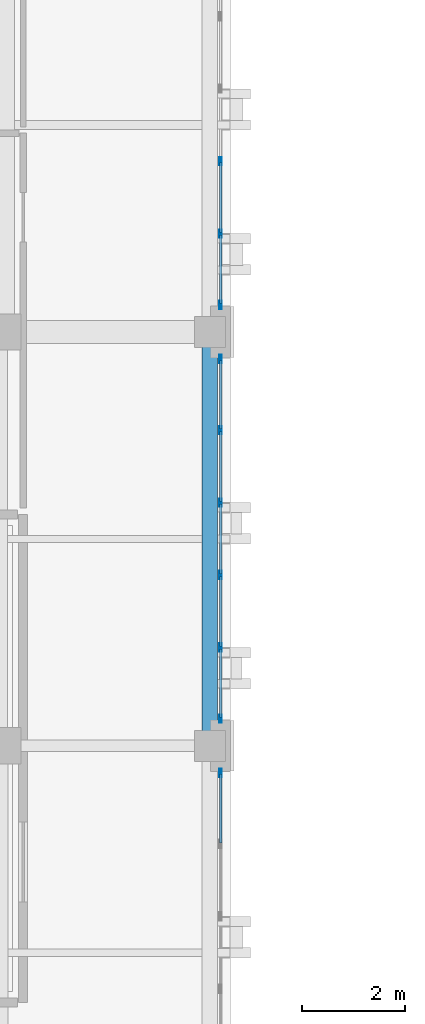
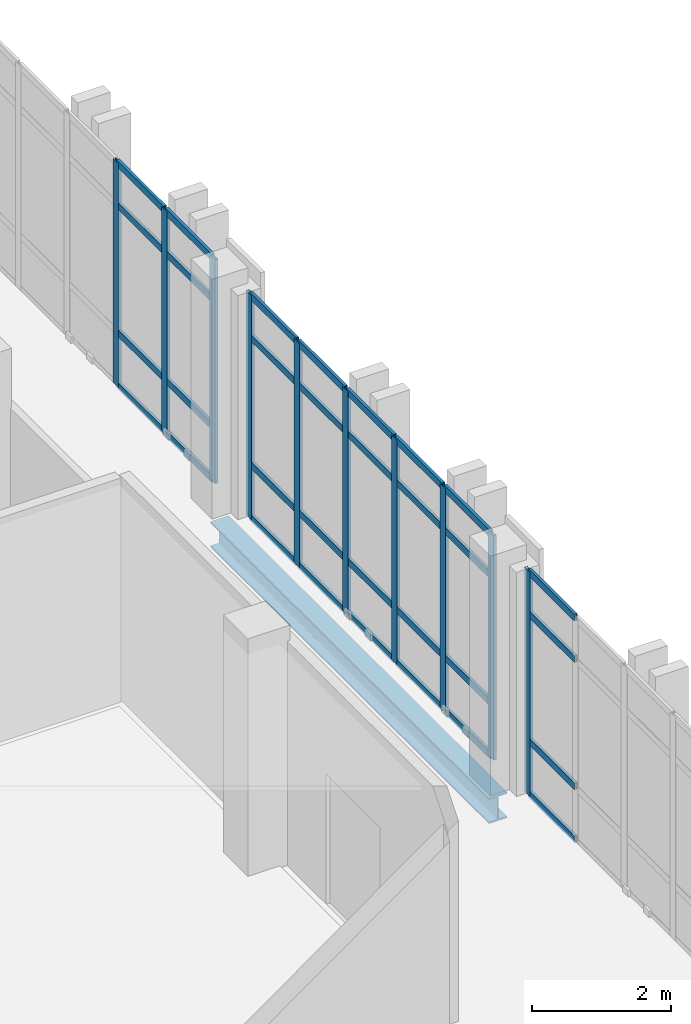
# One storey, part 15 of 90: 42 members, 1 beam, 3 elements without a shape of their own.
"""IFC4 building model written with IfcOpenShell, lengths in metres."""

from ifc_helpers import new_model, si_unit, direction, frame, origin, origin_2d, place, context, subcontext, project, spatial, hollow_rectangle, i_section, extrude, material, layer, layer_set, material_profile, profile_set, type_object, element, aggregate, save


model = new_model("IFC4")

# Units and contexts
model_context = context("Model", 3, precision=1e-05, world=origin(), true_north=direction((0.0, 1.0)))
body_context = subcontext(model_context, "Body", "Model", "MODEL_VIEW")
ifc_project = project(units=[si_unit("LENGTHUNIT", "METRE"), si_unit("AREAUNIT", "SQUARE_METRE"), si_unit("VOLUMEUNIT", "CUBIC_METRE"), si_unit("PLANEANGLEUNIT", "RADIAN"), si_unit("MASSUNIT", "GRAM", prefix="KILO")], contexts=[model_context])

# Site, building, storey
site_placement = place(None, origin())
site = spatial("IfcSite", under=ifc_project, at=site_placement, CompositionType="ELEMENT")
building_placement = place(site_placement, origin())
building = spatial("IfcBuilding", under=site, at=building_placement, Name="Qalavern Law Courts", CompositionType="ELEMENT")
storey_placement = place(building_placement, frame((0.0, 0.0, 22.800048828125)))
storey = spatial("IfcBuildingStorey", under=building, at=storey_placement, Name="L05", CompositionType="ELEMENT", Elevation=22.800048828125)

# Curtain wall, member
ifc_material_1 = material(Name="Anodised aluminium and insulated glazing", Category="aluminium")
ifc_layer = layer(ifc_material_1, 0.159912109375)
ifc_layer_set = layer_set([ifc_layer], Name="Anodised aluminium and insulated glazing")
curtain_wall_type = type_object("IfcCurtainWallType", Name="ENV-CW-CHAMB", PredefinedType="USERDEFINED", material=ifc_layer_set)
curtain_wall_1_placement = place(storey_placement, origin())
curtain_wall_1 = element("IfcCurtainWall", 1, at=curtain_wall_1_placement, inside=storey, type_object=curtain_wall_type, Name="V3 unitised curtain wall L05 east 2", ObjectType="UNITISED CURTAIN WALL", PredefinedType="USERDEFINED")
ifc_material_2 = material(Name="Anodised aluminium", Category="aluminium")
ifc_material_profile_1 = material_profile(ifc_material_2, hollow_rectangle(XDim=0.048095703125, YDim=0.159912109375, WallThickness=0.00390625, at=origin_2d()), Name="ALU MULLION 48x160")
ifc_profile_set_1 = profile_set([ifc_material_profile_1], Name="Anodised aluminium")
member_type_1 = type_object("IfcMemberType", Name="ENV-CWM-48x160", PredefinedType="MULLION", material=ifc_profile_set_1)
member_1_placement = place(storey_placement, frame((18.607421875, 56.8759765625, 0.0), z_axis=(0.0, 0.0, 1.0), x_axis=(-1.0, 0.0, 0.0)))
member_1 = element("IfcMember", 2, at=member_1_placement, type_object=member_type_1, Name="CW-04 mullion 6", PredefinedType="MULLION", context=body_context, shape_type="SweptSolid", body=[
    extrude(hollow_rectangle(XDim=0.048095703125, YDim=0.159912109375, WallThickness=0.00390625, at=origin_2d()), origin(), (0.0, 0.0, 1.0), 3.929931640625),
])

# Curtain wall, members
curtain_wall_2_placement = place(storey_placement, origin())
curtain_wall_2 = element("IfcCurtainWall", 3, at=curtain_wall_2_placement, inside=storey, type_object=curtain_wall_type, Name="V3 unitised curtain wall L05 east 3", ObjectType="UNITISED CURTAIN WALL", PredefinedType="USERDEFINED")
member_2_placement = place(storey_placement, frame((18.607421875, 57.924072265625, 0.0), z_axis=(0.0, 0.0, 1.0), x_axis=(-1.0, 0.0, 0.0)))
member_2 = element("IfcMember", 4, at=member_2_placement, type_object=member_type_1, Name="CW-04 mullion 1", PredefinedType="MULLION", context=body_context, shape_type="SweptSolid", body=[
    extrude(hollow_rectangle(XDim=0.048095703125, YDim=0.159912109375, WallThickness=0.00390625, at=origin_2d()), origin(), (0.0, 0.0, 1.0), 3.929931640625),
])
member_3_placement = place(storey_placement, frame((18.607421875, 59.300048828125, 0.0), z_axis=(0.0, 0.0, 1.0), x_axis=(-1.0, 0.0, 0.0)))
member_3 = element("IfcMember", 5, at=member_3_placement, type_object=member_type_1, Name="CW-04 mullion 2", PredefinedType="MULLION", context=body_context, shape_type="SweptSolid", body=[
    extrude(hollow_rectangle(XDim=0.048095703125, YDim=0.159912109375, WallThickness=0.00390625, at=origin_2d()), origin(), (0.0, 0.0, 1.0), 3.929931640625),
])
member_4_placement = place(storey_placement, frame((18.607421875, 60.699951171875, 0.0), z_axis=(0.0, 0.0, 1.0), x_axis=(-1.0, 0.0, 0.0)))
member_4 = element("IfcMember", 6, at=member_4_placement, type_object=member_type_1, Name="CW-04 mullion 3", PredefinedType="MULLION", context=body_context, shape_type="SweptSolid", body=[
    extrude(hollow_rectangle(XDim=0.048095703125, YDim=0.159912109375, WallThickness=0.00390625, at=origin_2d()), origin(), (0.0, 0.0, 1.0), 3.929931640625),
])
member_5_placement = place(storey_placement, frame((18.607421875, 62.10009765625, 0.0), z_axis=(0.0, 0.0, 1.0), x_axis=(-1.0, 0.0, 0.0)))
member_5 = element("IfcMember", 7, at=member_5_placement, type_object=member_type_1, Name="CW-04 mullion 4", PredefinedType="MULLION", context=body_context, shape_type="SweptSolid", body=[
    extrude(hollow_rectangle(XDim=0.048095703125, YDim=0.159912109375, WallThickness=0.00390625, at=origin_2d()), origin(), (0.0, 0.0, 1.0), 3.929931640625),
])
member_6_placement = place(storey_placement, frame((18.607421875, 63.5, 0.0), z_axis=(0.0, 0.0, 1.0), x_axis=(-1.0, 0.0, 0.0)))
member_6 = element("IfcMember", 8, at=member_6_placement, type_object=member_type_1, Name="CW-04 mullion 5", PredefinedType="MULLION", context=body_context, shape_type="SweptSolid", body=[
    extrude(hollow_rectangle(XDim=0.048095703125, YDim=0.159912109375, WallThickness=0.00390625, at=origin_2d()), origin(), (0.0, 0.0, 1.0), 3.929931640625),
])
member_7_placement = place(storey_placement, frame((18.607421875, 64.8759765625, 0.0), z_axis=(0.0, 0.0, 1.0), x_axis=(-1.0, 0.0, 0.0)))
member_7 = element("IfcMember", 9, at=member_7_placement, type_object=member_type_1, Name="CW-04 mullion 6", PredefinedType="MULLION", context=body_context, shape_type="SweptSolid", body=[
    extrude(hollow_rectangle(XDim=0.048095703125, YDim=0.159912109375, WallThickness=0.00390625, at=origin_2d()), origin(), (0.0, 0.0, 1.0), 3.929931640625),
])

curtain_wall_3_placement = place(storey_placement, origin())
curtain_wall_3 = element("IfcCurtainWall", 10, at=curtain_wall_3_placement, inside=storey, type_object=curtain_wall_type, Name="V3 unitised curtain wall L05 east 4", ObjectType="UNITISED CURTAIN WALL", PredefinedType="USERDEFINED")
member_8_placement = place(storey_placement, frame((18.607421875, 65.924072265625, 0.0), z_axis=(0.0, 0.0, 1.0), x_axis=(-1.0, 0.0, 0.0)))
member_8 = element("IfcMember", 11, at=member_8_placement, type_object=member_type_1, Name="CW-04 mullion 1", PredefinedType="MULLION", context=body_context, shape_type="SweptSolid", body=[
    extrude(hollow_rectangle(XDim=0.048095703125, YDim=0.159912109375, WallThickness=0.00390625, at=origin_2d()), origin(), (0.0, 0.0, 1.0), 3.929931640625),
])
member_9_placement = place(storey_placement, frame((18.607421875, 67.300048828125, 0.0), z_axis=(0.0, 0.0, 1.0), x_axis=(-1.0, 0.0, 0.0)))
member_9 = element("IfcMember", 12, at=member_9_placement, type_object=member_type_1, Name="CW-04 mullion 2", PredefinedType="MULLION", context=body_context, shape_type="SweptSolid", body=[
    extrude(hollow_rectangle(XDim=0.048095703125, YDim=0.159912109375, WallThickness=0.00390625, at=origin_2d()), origin(), (0.0, 0.0, 1.0), 3.929931640625),
])
member_10_placement = place(storey_placement, frame((18.607421875, 68.699951171875, 0.0), z_axis=(0.0, 0.0, 1.0), x_axis=(-1.0, 0.0, 0.0)))
member_10 = element("IfcMember", 13, at=member_10_placement, type_object=member_type_1, Name="CW-04 mullion 3", PredefinedType="MULLION", context=body_context, shape_type="SweptSolid", body=[
    extrude(hollow_rectangle(XDim=0.048095703125, YDim=0.159912109375, WallThickness=0.00390625, at=origin_2d()), origin(), (0.0, 0.0, 1.0), 3.929931640625),
])

# Member
ifc_material_profile_2 = material_profile(ifc_material_2, hollow_rectangle(XDim=0.048095703125, YDim=0.1201171875, WallThickness=0.00390625, at=origin_2d()), Name="ALU TRANSOM 48x120")
ifc_profile_set_2 = profile_set([ifc_material_profile_2], Name="Anodised aluminium")
member_type_2 = type_object("IfcMemberType", Name="ENV-CWT-48x120", PredefinedType="USERDEFINED", material=ifc_profile_set_2)
member_11_placement = place(storey_placement, frame((18.607421875, 55.52392578125, 0.02392578125), z_axis=(0.0, 1.0, 0.0), x_axis=(-1.0, 0.0, 0.0)))
member_11 = element("IfcMember", 14, at=member_11_placement, type_object=member_type_2, Name="CW-04 transom 5.1", ObjectType="TRANSOM", PredefinedType="USERDEFINED", context=body_context, shape_type="SweptSolid", body=[
    extrude(hollow_rectangle(XDim=0.048095703125, YDim=0.1201171875, WallThickness=0.00390625, at=origin_2d()), origin(), (0.0, 0.0, 1.0), 1.328125),
])

member_12_placement = place(storey_placement, frame((18.607421875, 55.52392578125, 0.949951171875), z_axis=(0.0, 1.0, 0.0), x_axis=(-1.0, 0.0, 0.0)))
member_12 = element("IfcMember", 15, at=member_12_placement, type_object=member_type_2, Name="CW-04 transom 5.2", ObjectType="TRANSOM", PredefinedType="USERDEFINED", context=body_context, shape_type="SweptSolid", body=[
    extrude(hollow_rectangle(XDim=0.048095703125, YDim=0.1201171875, WallThickness=0.00390625, at=origin_2d()), origin(), (0.0, 0.0, 1.0), 1.328125),
])

member_13_placement = place(storey_placement, frame((18.607421875, 55.52392578125, 3.179931640625), z_axis=(0.0, 1.0, 0.0), x_axis=(-1.0, 0.0, 0.0)))
member_13 = element("IfcMember", 16, at=member_13_placement, type_object=member_type_2, Name="CW-04 transom 5.3", ObjectType="TRANSOM", PredefinedType="USERDEFINED", context=body_context, shape_type="SweptSolid", body=[
    extrude(hollow_rectangle(XDim=0.048095703125, YDim=0.1201171875, WallThickness=0.00390625, at=origin_2d()), origin(), (0.0, 0.0, 1.0), 1.328125),
])

member_14_placement = place(storey_placement, frame((18.607421875, 55.52392578125, 3.906005859375), z_axis=(0.0, 1.0, 0.0), x_axis=(-1.0, 0.0, 0.0)))
member_14 = element("IfcMember", 17, at=member_14_placement, type_object=member_type_2, Name="CW-04 transom 5.4", ObjectType="TRANSOM", PredefinedType="USERDEFINED", context=body_context, shape_type="SweptSolid", body=[
    extrude(hollow_rectangle(XDim=0.048095703125, YDim=0.1201171875, WallThickness=0.00390625, at=origin_2d()), origin(), (0.0, 0.0, 1.0), 1.328125),
])

aggregate(curtain_wall_1, [member_1, member_11, member_12, member_13, member_14])

member_15_placement = place(storey_placement, frame((18.607421875, 57.947998046875, 0.02392578125), z_axis=(0.0, 1.0, 0.0), x_axis=(-1.0, 0.0, 0.0)))
member_15 = element("IfcMember", 18, at=member_15_placement, type_object=member_type_2, Name="CW-04 transom 1.1", ObjectType="TRANSOM", PredefinedType="USERDEFINED", context=body_context, shape_type="SweptSolid", body=[
    extrude(hollow_rectangle(XDim=0.048095703125, YDim=0.1201171875, WallThickness=0.00390625, at=origin_2d()), origin(), (0.0, 0.0, 1.0), 1.327880859375),
])

member_16_placement = place(storey_placement, frame((18.607421875, 57.947998046875, 0.949951171875), z_axis=(0.0, 1.0, 0.0), x_axis=(-1.0, 0.0, 0.0)))
member_16 = element("IfcMember", 19, at=member_16_placement, type_object=member_type_2, Name="CW-04 transom 1.2", ObjectType="TRANSOM", PredefinedType="USERDEFINED", context=body_context, shape_type="SweptSolid", body=[
    extrude(hollow_rectangle(XDim=0.048095703125, YDim=0.1201171875, WallThickness=0.00390625, at=origin_2d()), origin(), (0.0, 0.0, 1.0), 1.327880859375),
])

member_17_placement = place(storey_placement, frame((18.607421875, 57.947998046875, 3.179931640625), z_axis=(0.0, 1.0, 0.0), x_axis=(-1.0, 0.0, 0.0)))
member_17 = element("IfcMember", 20, at=member_17_placement, type_object=member_type_2, Name="CW-04 transom 1.3", ObjectType="TRANSOM", PredefinedType="USERDEFINED", context=body_context, shape_type="SweptSolid", body=[
    extrude(hollow_rectangle(XDim=0.048095703125, YDim=0.1201171875, WallThickness=0.00390625, at=origin_2d()), origin(), (0.0, 0.0, 1.0), 1.327880859375),
])

member_18_placement = place(storey_placement, frame((18.607421875, 57.947998046875, 3.906005859375), z_axis=(0.0, 1.0, 0.0), x_axis=(-1.0, 0.0, 0.0)))
member_18 = element("IfcMember", 21, at=member_18_placement, type_object=member_type_2, Name="CW-04 transom 1.4", ObjectType="TRANSOM", PredefinedType="USERDEFINED", context=body_context, shape_type="SweptSolid", body=[
    extrude(hollow_rectangle(XDim=0.048095703125, YDim=0.1201171875, WallThickness=0.00390625, at=origin_2d()), origin(), (0.0, 0.0, 1.0), 1.327880859375),
])

member_19_placement = place(storey_placement, frame((18.607421875, 59.323974609375, 0.02392578125), z_axis=(0.0, 1.0, 0.0), x_axis=(-1.0, 0.0, 0.0)))
member_19 = element("IfcMember", 22, at=member_19_placement, type_object=member_type_2, Name="CW-04 transom 2.1", ObjectType="TRANSOM", PredefinedType="USERDEFINED", context=body_context, shape_type="SweptSolid", body=[
    extrude(hollow_rectangle(XDim=0.048095703125, YDim=0.1201171875, WallThickness=0.00390625, at=origin_2d()), origin(), (0.0, 0.0, 1.0), 1.35205078125),
])

member_20_placement = place(storey_placement, frame((18.607421875, 59.323974609375, 0.949951171875), z_axis=(0.0, 1.0, 0.0), x_axis=(-1.0, 0.0, 0.0)))
member_20 = element("IfcMember", 23, at=member_20_placement, type_object=member_type_2, Name="CW-04 transom 2.2", ObjectType="TRANSOM", PredefinedType="USERDEFINED", context=body_context, shape_type="SweptSolid", body=[
    extrude(hollow_rectangle(XDim=0.048095703125, YDim=0.1201171875, WallThickness=0.00390625, at=origin_2d()), origin(), (0.0, 0.0, 1.0), 1.35205078125),
])

member_21_placement = place(storey_placement, frame((18.607421875, 59.323974609375, 3.179931640625), z_axis=(0.0, 1.0, 0.0), x_axis=(-1.0, 0.0, 0.0)))
member_21 = element("IfcMember", 24, at=member_21_placement, type_object=member_type_2, Name="CW-04 transom 2.3", ObjectType="TRANSOM", PredefinedType="USERDEFINED", context=body_context, shape_type="SweptSolid", body=[
    extrude(hollow_rectangle(XDim=0.048095703125, YDim=0.1201171875, WallThickness=0.00390625, at=origin_2d()), origin(), (0.0, 0.0, 1.0), 1.35205078125),
])

member_22_placement = place(storey_placement, frame((18.607421875, 59.323974609375, 3.906005859375), z_axis=(0.0, 1.0, 0.0), x_axis=(-1.0, 0.0, 0.0)))
member_22 = element("IfcMember", 25, at=member_22_placement, type_object=member_type_2, Name="CW-04 transom 2.4", ObjectType="TRANSOM", PredefinedType="USERDEFINED", context=body_context, shape_type="SweptSolid", body=[
    extrude(hollow_rectangle(XDim=0.048095703125, YDim=0.1201171875, WallThickness=0.00390625, at=origin_2d()), origin(), (0.0, 0.0, 1.0), 1.35205078125),
])

member_23_placement = place(storey_placement, frame((18.607421875, 60.72412109375, 0.02392578125), z_axis=(0.0, 1.0, 0.0), x_axis=(-1.0, 0.0, 0.0)))
member_23 = element("IfcMember", 26, at=member_23_placement, type_object=member_type_2, Name="CW-04 transom 3.1", ObjectType="TRANSOM", PredefinedType="USERDEFINED", context=body_context, shape_type="SweptSolid", body=[
    extrude(hollow_rectangle(XDim=0.048095703125, YDim=0.1201171875, WallThickness=0.00390625, at=origin_2d()), origin(), (0.0, 0.0, 1.0), 1.351806640625),
])

member_24_placement = place(storey_placement, frame((18.607421875, 60.72412109375, 0.949951171875), z_axis=(0.0, 1.0, 0.0), x_axis=(-1.0, 0.0, 0.0)))
member_24 = element("IfcMember", 27, at=member_24_placement, type_object=member_type_2, Name="CW-04 transom 3.2", ObjectType="TRANSOM", PredefinedType="USERDEFINED", context=body_context, shape_type="SweptSolid", body=[
    extrude(hollow_rectangle(XDim=0.048095703125, YDim=0.1201171875, WallThickness=0.00390625, at=origin_2d()), origin(), (0.0, 0.0, 1.0), 1.351806640625),
])

member_25_placement = place(storey_placement, frame((18.607421875, 60.72412109375, 3.179931640625), z_axis=(0.0, 1.0, 0.0), x_axis=(-1.0, 0.0, 0.0)))
member_25 = element("IfcMember", 28, at=member_25_placement, type_object=member_type_2, Name="CW-04 transom 3.3", ObjectType="TRANSOM", PredefinedType="USERDEFINED", context=body_context, shape_type="SweptSolid", body=[
    extrude(hollow_rectangle(XDim=0.048095703125, YDim=0.1201171875, WallThickness=0.00390625, at=origin_2d()), origin(), (0.0, 0.0, 1.0), 1.351806640625),
])

member_26_placement = place(storey_placement, frame((18.607421875, 60.72412109375, 3.906005859375), z_axis=(0.0, 1.0, 0.0), x_axis=(-1.0, 0.0, 0.0)))
member_26 = element("IfcMember", 29, at=member_26_placement, type_object=member_type_2, Name="CW-04 transom 3.4", ObjectType="TRANSOM", PredefinedType="USERDEFINED", context=body_context, shape_type="SweptSolid", body=[
    extrude(hollow_rectangle(XDim=0.048095703125, YDim=0.1201171875, WallThickness=0.00390625, at=origin_2d()), origin(), (0.0, 0.0, 1.0), 1.351806640625),
])

member_27_placement = place(storey_placement, frame((18.607421875, 62.1240234375, 0.02392578125), z_axis=(0.0, 1.0, 0.0), x_axis=(-1.0, 0.0, 0.0)))
member_27 = element("IfcMember", 30, at=member_27_placement, type_object=member_type_2, Name="CW-04 transom 4.1", ObjectType="TRANSOM", PredefinedType="USERDEFINED", context=body_context, shape_type="SweptSolid", body=[
    extrude(hollow_rectangle(XDim=0.048095703125, YDim=0.1201171875, WallThickness=0.00390625, at=origin_2d()), origin(), (0.0, 0.0, 1.0), 1.35205078125),
])

member_28_placement = place(storey_placement, frame((18.607421875, 62.1240234375, 0.949951171875), z_axis=(0.0, 1.0, 0.0), x_axis=(-1.0, 0.0, 0.0)))
member_28 = element("IfcMember", 31, at=member_28_placement, type_object=member_type_2, Name="CW-04 transom 4.2", ObjectType="TRANSOM", PredefinedType="USERDEFINED", context=body_context, shape_type="SweptSolid", body=[
    extrude(hollow_rectangle(XDim=0.048095703125, YDim=0.1201171875, WallThickness=0.00390625, at=origin_2d()), origin(), (0.0, 0.0, 1.0), 1.35205078125),
])

member_29_placement = place(storey_placement, frame((18.607421875, 62.1240234375, 3.179931640625), z_axis=(0.0, 1.0, 0.0), x_axis=(-1.0, 0.0, 0.0)))
member_29 = element("IfcMember", 32, at=member_29_placement, type_object=member_type_2, Name="CW-04 transom 4.3", ObjectType="TRANSOM", PredefinedType="USERDEFINED", context=body_context, shape_type="SweptSolid", body=[
    extrude(hollow_rectangle(XDim=0.048095703125, YDim=0.1201171875, WallThickness=0.00390625, at=origin_2d()), origin(), (0.0, 0.0, 1.0), 1.35205078125),
])

member_30_placement = place(storey_placement, frame((18.607421875, 62.1240234375, 3.906005859375), z_axis=(0.0, 1.0, 0.0), x_axis=(-1.0, 0.0, 0.0)))
member_30 = element("IfcMember", 33, at=member_30_placement, type_object=member_type_2, Name="CW-04 transom 4.4", ObjectType="TRANSOM", PredefinedType="USERDEFINED", context=body_context, shape_type="SweptSolid", body=[
    extrude(hollow_rectangle(XDim=0.048095703125, YDim=0.1201171875, WallThickness=0.00390625, at=origin_2d()), origin(), (0.0, 0.0, 1.0), 1.35205078125),
])

member_31_placement = place(storey_placement, frame((18.607421875, 63.52392578125, 0.02392578125), z_axis=(0.0, 1.0, 0.0), x_axis=(-1.0, 0.0, 0.0)))
member_31 = element("IfcMember", 34, at=member_31_placement, type_object=member_type_2, Name="CW-04 transom 5.1", ObjectType="TRANSOM", PredefinedType="USERDEFINED", context=body_context, shape_type="SweptSolid", body=[
    extrude(hollow_rectangle(XDim=0.048095703125, YDim=0.1201171875, WallThickness=0.00390625, at=origin_2d()), origin(), (0.0, 0.0, 1.0), 1.328125),
])

member_32_placement = place(storey_placement, frame((18.607421875, 63.52392578125, 0.949951171875), z_axis=(0.0, 1.0, 0.0), x_axis=(-1.0, 0.0, 0.0)))
member_32 = element("IfcMember", 35, at=member_32_placement, type_object=member_type_2, Name="CW-04 transom 5.2", ObjectType="TRANSOM", PredefinedType="USERDEFINED", context=body_context, shape_type="SweptSolid", body=[
    extrude(hollow_rectangle(XDim=0.048095703125, YDim=0.1201171875, WallThickness=0.00390625, at=origin_2d()), origin(), (0.0, 0.0, 1.0), 1.328125),
])

member_33_placement = place(storey_placement, frame((18.607421875, 63.52392578125, 3.179931640625), z_axis=(0.0, 1.0, 0.0), x_axis=(-1.0, 0.0, 0.0)))
member_33 = element("IfcMember", 36, at=member_33_placement, type_object=member_type_2, Name="CW-04 transom 5.3", ObjectType="TRANSOM", PredefinedType="USERDEFINED", context=body_context, shape_type="SweptSolid", body=[
    extrude(hollow_rectangle(XDim=0.048095703125, YDim=0.1201171875, WallThickness=0.00390625, at=origin_2d()), origin(), (0.0, 0.0, 1.0), 1.328125),
])

member_34_placement = place(storey_placement, frame((18.607421875, 63.52392578125, 3.906005859375), z_axis=(0.0, 1.0, 0.0), x_axis=(-1.0, 0.0, 0.0)))
member_34 = element("IfcMember", 37, at=member_34_placement, type_object=member_type_2, Name="CW-04 transom 5.4", ObjectType="TRANSOM", PredefinedType="USERDEFINED", context=body_context, shape_type="SweptSolid", body=[
    extrude(hollow_rectangle(XDim=0.048095703125, YDim=0.1201171875, WallThickness=0.00390625, at=origin_2d()), origin(), (0.0, 0.0, 1.0), 1.328125),
])

aggregate(curtain_wall_2, [member_2, member_3, member_4, member_5, member_6, member_7, member_15, member_16, member_17, member_18, member_19, member_20, member_21, member_22, member_23, member_24, member_25, member_26, member_27, member_28, member_29, member_30, member_31, member_32, member_33, member_34])

member_35_placement = place(storey_placement, frame((18.607421875, 65.947998046875, 0.02392578125), z_axis=(0.0, 1.0, 0.0), x_axis=(-1.0, 0.0, 0.0)))
member_35 = element("IfcMember", 38, at=member_35_placement, type_object=member_type_2, Name="CW-04 transom 1.1", ObjectType="TRANSOM", PredefinedType="USERDEFINED", context=body_context, shape_type="SweptSolid", body=[
    extrude(hollow_rectangle(XDim=0.048095703125, YDim=0.1201171875, WallThickness=0.00390625, at=origin_2d()), origin(), (0.0, 0.0, 1.0), 1.327880859375),
])

member_36_placement = place(storey_placement, frame((18.607421875, 65.947998046875, 0.949951171875), z_axis=(0.0, 1.0, 0.0), x_axis=(-1.0, 0.0, 0.0)))
member_36 = element("IfcMember", 39, at=member_36_placement, type_object=member_type_2, Name="CW-04 transom 1.2", ObjectType="TRANSOM", PredefinedType="USERDEFINED", context=body_context, shape_type="SweptSolid", body=[
    extrude(hollow_rectangle(XDim=0.048095703125, YDim=0.1201171875, WallThickness=0.00390625, at=origin_2d()), origin(), (0.0, 0.0, 1.0), 1.327880859375),
])

member_37_placement = place(storey_placement, frame((18.607421875, 65.947998046875, 3.179931640625), z_axis=(0.0, 1.0, 0.0), x_axis=(-1.0, 0.0, 0.0)))
member_37 = element("IfcMember", 40, at=member_37_placement, type_object=member_type_2, Name="CW-04 transom 1.3", ObjectType="TRANSOM", PredefinedType="USERDEFINED", context=body_context, shape_type="SweptSolid", body=[
    extrude(hollow_rectangle(XDim=0.048095703125, YDim=0.1201171875, WallThickness=0.00390625, at=origin_2d()), origin(), (0.0, 0.0, 1.0), 1.327880859375),
])

member_38_placement = place(storey_placement, frame((18.607421875, 65.947998046875, 3.906005859375), z_axis=(0.0, 1.0, 0.0), x_axis=(-1.0, 0.0, 0.0)))
member_38 = element("IfcMember", 41, at=member_38_placement, type_object=member_type_2, Name="CW-04 transom 1.4", ObjectType="TRANSOM", PredefinedType="USERDEFINED", context=body_context, shape_type="SweptSolid", body=[
    extrude(hollow_rectangle(XDim=0.048095703125, YDim=0.1201171875, WallThickness=0.00390625, at=origin_2d()), origin(), (0.0, 0.0, 1.0), 1.327880859375),
])

member_39_placement = place(storey_placement, frame((18.607421875, 67.323974609375, 0.02392578125), z_axis=(0.0, 1.0, 0.0), x_axis=(-1.0, 0.0, 0.0)))
member_39 = element("IfcMember", 42, at=member_39_placement, type_object=member_type_2, Name="CW-04 transom 2.1", ObjectType="TRANSOM", PredefinedType="USERDEFINED", context=body_context, shape_type="SweptSolid", body=[
    extrude(hollow_rectangle(XDim=0.048095703125, YDim=0.1201171875, WallThickness=0.00390625, at=origin_2d()), origin(), (0.0, 0.0, 1.0), 1.35205078125),
])

member_40_placement = place(storey_placement, frame((18.607421875, 67.323974609375, 0.949951171875), z_axis=(0.0, 1.0, 0.0), x_axis=(-1.0, 0.0, 0.0)))
member_40 = element("IfcMember", 43, at=member_40_placement, type_object=member_type_2, Name="CW-04 transom 2.2", ObjectType="TRANSOM", PredefinedType="USERDEFINED", context=body_context, shape_type="SweptSolid", body=[
    extrude(hollow_rectangle(XDim=0.048095703125, YDim=0.1201171875, WallThickness=0.00390625, at=origin_2d()), origin(), (0.0, 0.0, 1.0), 1.35205078125),
])

member_41_placement = place(storey_placement, frame((18.607421875, 67.323974609375, 3.179931640625), z_axis=(0.0, 1.0, 0.0), x_axis=(-1.0, 0.0, 0.0)))
member_41 = element("IfcMember", 44, at=member_41_placement, type_object=member_type_2, Name="CW-04 transom 2.3", ObjectType="TRANSOM", PredefinedType="USERDEFINED", context=body_context, shape_type="SweptSolid", body=[
    extrude(hollow_rectangle(XDim=0.048095703125, YDim=0.1201171875, WallThickness=0.00390625, at=origin_2d()), origin(), (0.0, 0.0, 1.0), 1.35205078125),
])

member_42_placement = place(storey_placement, frame((18.607421875, 67.323974609375, 3.906005859375), z_axis=(0.0, 1.0, 0.0), x_axis=(-1.0, 0.0, 0.0)))
member_42 = element("IfcMember", 45, at=member_42_placement, type_object=member_type_2, Name="CW-04 transom 2.4", ObjectType="TRANSOM", PredefinedType="USERDEFINED", context=body_context, shape_type="SweptSolid", body=[
    extrude(hollow_rectangle(XDim=0.048095703125, YDim=0.1201171875, WallThickness=0.00390625, at=origin_2d()), origin(), (0.0, 0.0, 1.0), 1.35205078125),
])

aggregate(curtain_wall_3, [member_8, member_9, member_10, member_35, member_36, member_37, member_38, member_39, member_40, member_41, member_42])

# Beam
ifc_material_3 = material(Name="Steel S355", Category="steel")
ifc_material_profile_3 = material_profile(ifc_material_3, i_section(OverallWidth=0.300048828125, OverallDepth=0.449951171875, WebThickness=0.013916015625, FlangeThickness=0.02587890625, FilletRadius=0.027099609375, at=origin_2d()), Name="HEB 450")
ifc_profile_set_3 = profile_set([ifc_material_profile_3], Name="Steel S355")
beam_type = type_object("IfcBeamType", Name="STR-SP-HEB450", PredefinedType="SPANDREL", material=ifc_profile_set_3)
beam_placement = place(storey_placement, frame((18.39990234375, 57.39990234375, -0.5), z_axis=(0.0, 1.0, 0.0), x_axis=(-1.0, 0.0, 0.0)))
element("IfcBeam", 46, at=beam_placement, inside=storey, type_object=beam_type, Name="V3 Y-beam 3-3 L05", PredefinedType="SPANDREL", context=body_context, shape_type="SweptSolid", body=[
    extrude(i_section(OverallWidth=0.300048828125, OverallDepth=0.449951171875, WebThickness=0.013916015625, FlangeThickness=0.02587890625, FilletRadius=0.027099609375, at=origin_2d()), origin(), (0.0, 0.0, 1.0), 8.0),
])

save(model, "model.ifc")
